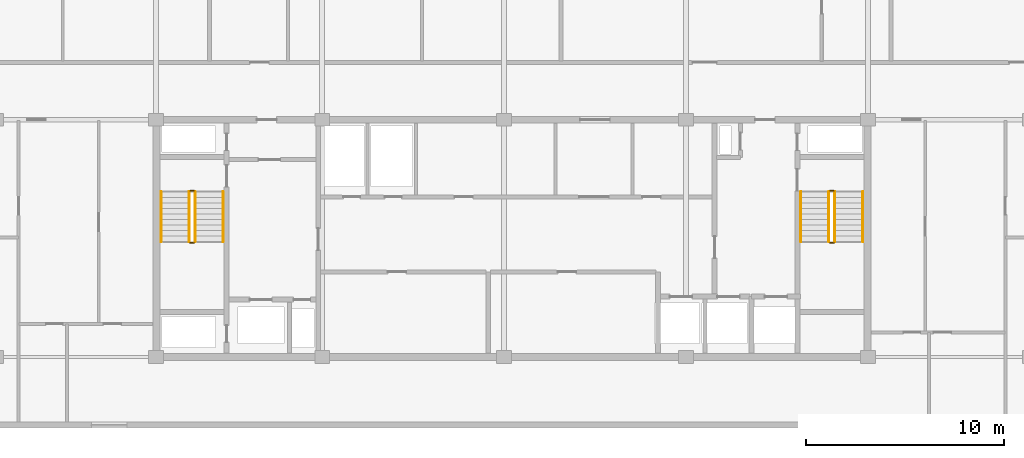
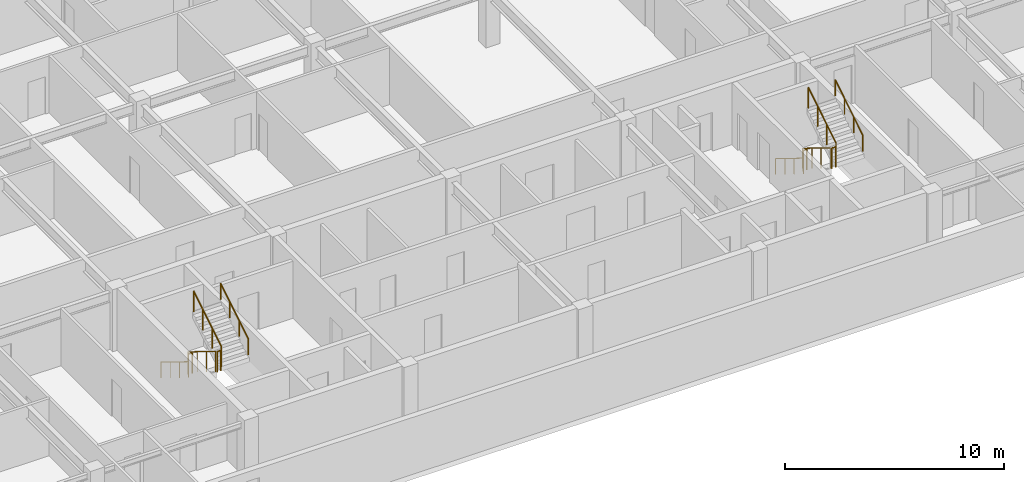
# One storey, part 10 of 11: 12 railings.
"""IFC4 building model written with IfcOpenShell, lengths in metres."""

from ifc_helpers import new_model, si_unit, direction, frame, origin, origin_2d, place, context, subcontext, project, spatial, circle, extrude, material, type_object, element, save


model = new_model("IFC4")

# Units and contexts
model_context = context("Model", 3, precision=1e-05, world=origin(), true_north=direction((0.0, 1.0)))
body_context = subcontext(model_context, "Body", "Model", "MODEL_VIEW")
ifc_project = project(units=[si_unit("LENGTHUNIT", "METRE"), si_unit("AREAUNIT", "SQUARE_METRE"), si_unit("VOLUMEUNIT", "CUBIC_METRE"), si_unit("PLANEANGLEUNIT", "RADIAN"), si_unit("MASSUNIT", "GRAM", prefix="KILO")], contexts=[model_context])

# Site, building, storey
site_placement = place(None, origin())
site = spatial("IfcSite", under=ifc_project, at=site_placement, CompositionType="ELEMENT")
building_placement = place(site_placement, origin())
building = spatial("IfcBuilding", under=site, at=building_placement, Name="Korimba Cascade Residences", CompositionType="ELEMENT")
storey_placement = place(building_placement, frame((0.0, 0.0, 249.35009765625)))
storey = spatial("IfcBuildingStorey", under=building, at=storey_placement, Name="L72", CompositionType="ELEMENT", Elevation=249.35009765625)

# Railings
ifc_material_1 = material(Name="Painted Steel Stairwell Guardrail", Category="steel")
railing_type_1 = type_object("IfcRailingType", Name="RLG-ST-GD1150", PredefinedType="GUARDRAIL", material=ifc_material_1)
railing_1_placement = place(storey_placement, frame((77.77001953125, 63.550048828125, 0.17236328125)))
element("IfcRailing", 1, at=railing_1_placement, inside=storey, type_object=railing_type_1, Name="L72 ST-W1 stair guard 1", PredefinedType="GUARDRAIL", context=body_context, shape_type="SweptSolid", body=[
    extrude(circle(Radius=0.02392578125, at=origin_2d()), frame((0.0, 0.0, 1.1259765625), z_axis=(0.0, -0.851400495292, 0.524516154772), x_axis=(1.0, 0.0, 0.0)), (0.0, 0.0, 1.0), 2.9599609375),
    extrude(circle(Radius=0.02099609375, at=origin_2d()), origin(), (0.0, 0.0, 1.0), 1.101806640625),
    extrude(circle(Radius=0.02099609375, at=origin_2d()), frame((0.0, -0.840087890625, 0.517578125)), (0.0, 0.0, 1.0), 1.101806640625),
    extrude(circle(Radius=0.02099609375, at=origin_2d()), frame((0.0, -1.679931640625, 1.034912109375)), (0.0, 0.0, 1.0), 1.101806640625),
    extrude(circle(Radius=0.02099609375, at=origin_2d()), frame((0.0, -2.52001953125, 1.552490234375)), (0.0, 0.0, 1.0), 1.101806640625),
])
railing_2_placement = place(storey_placement, frame((77.820068359375, 60.97998046875, 1.724853515625)))
element("IfcRailing", 2, at=railing_2_placement, inside=storey, type_object=railing_type_1, Name="L72 ST-W1 stair guard 2", PredefinedType="GUARDRAIL", context=body_context, shape_type="SweptSolid", body=[
    extrude(circle(Radius=0.02392578125, at=origin_2d()), frame((0.0, 0.0, 1.1259765625), z_axis=(1.0, 0.0, 0.0), x_axis=(0.0, 1.0, 0.0)), (0.0, 0.0, 1.0), 0.199951171875),
    extrude(circle(Radius=0.02099609375, at=origin_2d()), origin(), (0.0, 0.0, 1.0), 1.101806640625),
    extrude(circle(Radius=0.02099609375, at=origin_2d()), frame((0.199951171875, 0.0, 0.0)), (0.0, 0.0, 1.0), 1.101806640625),
])
railing_3_placement = place(storey_placement, frame((78.070068359375, 61.030029296875, 1.8974609375)))
element("IfcRailing", 3, at=railing_3_placement, inside=storey, type_object=railing_type_1, Name="L72 ST-W1 stair guard 3", PredefinedType="GUARDRAIL", context=body_context, shape_type="SweptSolid", body=[
    extrude(circle(Radius=0.02392578125, at=origin_2d()), frame((0.0, 0.0, 1.1259765625), z_axis=(0.0, 0.851400495292, 0.524516154772), x_axis=(-1.0, 0.0, 0.0)), (0.0, 0.0, 1.0), 2.9599609375),
    extrude(circle(Radius=0.02099609375, at=origin_2d()), origin(), (0.0, 0.0, 1.0), 1.101806640625),
    extrude(circle(Radius=0.02099609375, at=origin_2d()), frame((0.0, 0.840087890625, 0.517578125)), (0.0, 0.0, 1.0), 1.101806640625),
    extrude(circle(Radius=0.02099609375, at=origin_2d()), frame((0.0, 1.679931640625, 1.034912109375)), (0.0, 0.0, 1.0), 1.101806640625),
    extrude(circle(Radius=0.02099609375, at=origin_2d()), frame((0.0, 2.52001953125, 1.552490234375)), (0.0, 0.0, 1.0), 1.101806640625),
])
railing_4_placement = place(storey_placement, frame((77.820068359375, 63.60009765625, 0.0)))
element("IfcRailing", 4, at=railing_4_placement, inside=storey, type_object=railing_type_1, Name="L72 ST-W1 stair guard 4", PredefinedType="GUARDRAIL", context=body_context, shape_type="SweptSolid", body=[
    extrude(circle(Radius=0.02392578125, at=origin_2d()), frame((0.0, 0.0, 1.1259765625), z_axis=(1.0, 0.0, 0.0), x_axis=(0.0, 1.0, 0.0)), (0.0, 0.0, 1.0), 0.199951171875),
    extrude(circle(Radius=0.02099609375, at=origin_2d()), origin(), (0.0, 0.0, 1.0), 1.101806640625),
    extrude(circle(Radius=0.02099609375, at=origin_2d()), frame((0.199951171875, 0.0, 0.0)), (0.0, 0.0, 1.0), 1.101806640625),
])
railing_5_placement = place(storey_placement, frame((110.1298828125, 63.550048828125, 0.17236328125)))
element("IfcRailing", 5, at=railing_5_placement, inside=storey, type_object=railing_type_1, Name="L72 ST-W2 stair guard 1", PredefinedType="GUARDRAIL", context=body_context, shape_type="SweptSolid", body=[
    extrude(circle(Radius=0.02392578125, at=origin_2d()), frame((0.0, 0.0, 1.1259765625), z_axis=(0.0, -0.851400495292, 0.524516154772), x_axis=(1.0, 0.0, 0.0)), (0.0, 0.0, 1.0), 2.9599609375),
    extrude(circle(Radius=0.02099609375, at=origin_2d()), origin(), (0.0, 0.0, 1.0), 1.101806640625),
    extrude(circle(Radius=0.02099609375, at=origin_2d()), frame((0.0, -0.840087890625, 0.517578125)), (0.0, 0.0, 1.0), 1.101806640625),
    extrude(circle(Radius=0.02099609375, at=origin_2d()), frame((0.0, -1.679931640625, 1.034912109375)), (0.0, 0.0, 1.0), 1.101806640625),
    extrude(circle(Radius=0.02099609375, at=origin_2d()), frame((0.0, -2.52001953125, 1.552490234375)), (0.0, 0.0, 1.0), 1.101806640625),
])
railing_6_placement = place(storey_placement, frame((110.179931640625, 60.97998046875, 1.724853515625)))
element("IfcRailing", 6, at=railing_6_placement, inside=storey, type_object=railing_type_1, Name="L72 ST-W2 stair guard 2", PredefinedType="GUARDRAIL", context=body_context, shape_type="SweptSolid", body=[
    extrude(circle(Radius=0.02392578125, at=origin_2d()), frame((0.0, 0.0, 1.1259765625), z_axis=(1.0, 0.0, 0.0), x_axis=(0.0, 1.0, 0.0)), (0.0, 0.0, 1.0), 0.199951171875),
    extrude(circle(Radius=0.02099609375, at=origin_2d()), origin(), (0.0, 0.0, 1.0), 1.101806640625),
    extrude(circle(Radius=0.02099609375, at=origin_2d()), frame((0.199951171875, 0.0, 0.0)), (0.0, 0.0, 1.0), 1.101806640625),
])
railing_7_placement = place(storey_placement, frame((110.429931640625, 61.030029296875, 1.8974609375)))
element("IfcRailing", 7, at=railing_7_placement, inside=storey, type_object=railing_type_1, Name="L72 ST-W2 stair guard 3", PredefinedType="GUARDRAIL", context=body_context, shape_type="SweptSolid", body=[
    extrude(circle(Radius=0.02392578125, at=origin_2d()), frame((0.0, 0.0, 1.1259765625), z_axis=(0.0, 0.851400495292, 0.524516154772), x_axis=(-1.0, 0.0, 0.0)), (0.0, 0.0, 1.0), 2.9599609375),
    extrude(circle(Radius=0.02099609375, at=origin_2d()), origin(), (0.0, 0.0, 1.0), 1.101806640625),
    extrude(circle(Radius=0.02099609375, at=origin_2d()), frame((0.0, 0.840087890625, 0.517578125)), (0.0, 0.0, 1.0), 1.101806640625),
    extrude(circle(Radius=0.02099609375, at=origin_2d()), frame((0.0, 1.679931640625, 1.034912109375)), (0.0, 0.0, 1.0), 1.101806640625),
    extrude(circle(Radius=0.02099609375, at=origin_2d()), frame((0.0, 2.52001953125, 1.552490234375)), (0.0, 0.0, 1.0), 1.101806640625),
])
railing_8_placement = place(storey_placement, frame((110.179931640625, 63.60009765625, 0.0)))
element("IfcRailing", 8, at=railing_8_placement, inside=storey, type_object=railing_type_1, Name="L72 ST-W2 stair guard 4", PredefinedType="GUARDRAIL", context=body_context, shape_type="SweptSolid", body=[
    extrude(circle(Radius=0.02392578125, at=origin_2d()), frame((0.0, 0.0, 1.1259765625), z_axis=(1.0, 0.0, 0.0), x_axis=(0.0, 1.0, 0.0)), (0.0, 0.0, 1.0), 0.199951171875),
    extrude(circle(Radius=0.02099609375, at=origin_2d()), origin(), (0.0, 0.0, 1.0), 1.101806640625),
    extrude(circle(Radius=0.02099609375, at=origin_2d()), frame((0.199951171875, 0.0, 0.0)), (0.0, 0.0, 1.0), 1.101806640625),
])
ifc_material_2 = material(Name="Brushed Stainless Steel Handrail", Category="steel")
railing_type_2 = type_object("IfcRailingType", Name="RLG-ST-HR900", PredefinedType="HANDRAIL", material=ifc_material_2)
railing_9_placement = place(storey_placement, frame((76.35009765625, 63.550048828125, 0.348388671875)))
element("IfcRailing", 9, at=railing_9_placement, inside=storey, type_object=railing_type_2, Name="L72 ST-W1 stair handrail 1", PredefinedType="HANDRAIL", context=body_context, shape_type="SweptSolid", body=[
    extrude(circle(Radius=0.02392578125, at=origin_2d()), frame((0.0, 0.0, 0.8759765625), z_axis=(0.0, -0.851400495292, 0.524516154772), x_axis=(1.0, 0.0, 0.0)), (0.0, 0.0, 1.0), 2.9599609375),
    extrude(circle(Radius=0.02099609375, at=origin_2d()), origin(), (0.0, 0.0, 1.0), 0.851806640625),
    extrude(circle(Radius=0.02099609375, at=origin_2d()), frame((0.0, -0.840087890625, 0.517578125)), (0.0, 0.0, 1.0), 0.851806640625),
    extrude(circle(Radius=0.02099609375, at=origin_2d()), frame((0.0, -1.679931640625, 1.034912109375)), (0.0, 0.0, 1.0), 0.851806640625),
    extrude(circle(Radius=0.02099609375, at=origin_2d()), frame((0.0, -2.52001953125, 1.552490234375)), (0.0, 0.0, 1.0), 0.851806640625),
])
railing_10_placement = place(storey_placement, frame((79.489990234375, 61.030029296875, 2.073486328125)))
element("IfcRailing", 10, at=railing_10_placement, inside=storey, type_object=railing_type_2, Name="L72 ST-W1 stair handrail 2", PredefinedType="HANDRAIL", context=body_context, shape_type="SweptSolid", body=[
    extrude(circle(Radius=0.02392578125, at=origin_2d()), frame((0.0, 0.0, 0.8759765625), z_axis=(0.0, 0.851400495292, 0.524516154772), x_axis=(-1.0, 0.0, 0.0)), (0.0, 0.0, 1.0), 2.9599609375),
    extrude(circle(Radius=0.02099609375, at=origin_2d()), origin(), (0.0, 0.0, 1.0), 0.851806640625),
    extrude(circle(Radius=0.02099609375, at=origin_2d()), frame((0.0, 0.840087890625, 0.517578125)), (0.0, 0.0, 1.0), 0.851806640625),
    extrude(circle(Radius=0.02099609375, at=origin_2d()), frame((0.0, 1.679931640625, 1.034912109375)), (0.0, 0.0, 1.0), 0.851806640625),
    extrude(circle(Radius=0.02099609375, at=origin_2d()), frame((0.0, 2.52001953125, 1.552490234375)), (0.0, 0.0, 1.0), 0.851806640625),
])
railing_11_placement = place(storey_placement, frame((108.7099609375, 63.550048828125, 0.348388671875)))
element("IfcRailing", 11, at=railing_11_placement, inside=storey, type_object=railing_type_2, Name="L72 ST-W2 stair handrail 1", PredefinedType="HANDRAIL", context=body_context, shape_type="SweptSolid", body=[
    extrude(circle(Radius=0.02392578125, at=origin_2d()), frame((0.0, 0.0, 0.8759765625), z_axis=(0.0, -0.851400495292, 0.524516154772), x_axis=(1.0, 0.0, 0.0)), (0.0, 0.0, 1.0), 2.9599609375),
    extrude(circle(Radius=0.02099609375, at=origin_2d()), origin(), (0.0, 0.0, 1.0), 0.851806640625),
    extrude(circle(Radius=0.02099609375, at=origin_2d()), frame((0.0, -0.840087890625, 0.517578125)), (0.0, 0.0, 1.0), 0.851806640625),
    extrude(circle(Radius=0.02099609375, at=origin_2d()), frame((0.0, -1.679931640625, 1.034912109375)), (0.0, 0.0, 1.0), 0.851806640625),
    extrude(circle(Radius=0.02099609375, at=origin_2d()), frame((0.0, -2.52001953125, 1.552490234375)), (0.0, 0.0, 1.0), 0.851806640625),
])
railing_12_placement = place(storey_placement, frame((111.85009765625, 61.030029296875, 2.073486328125)))
element("IfcRailing", 12, at=railing_12_placement, inside=storey, type_object=railing_type_2, Name="L72 ST-W2 stair handrail 2", PredefinedType="HANDRAIL", context=body_context, shape_type="SweptSolid", body=[
    extrude(circle(Radius=0.02392578125, at=origin_2d()), frame((0.0, 0.0, 0.8759765625), z_axis=(0.0, 0.851400495292, 0.524516154772), x_axis=(-1.0, 0.0, 0.0)), (0.0, 0.0, 1.0), 2.9599609375),
    extrude(circle(Radius=0.02099609375, at=origin_2d()), origin(), (0.0, 0.0, 1.0), 0.851806640625),
    extrude(circle(Radius=0.02099609375, at=origin_2d()), frame((0.0, 0.840087890625, 0.517578125)), (0.0, 0.0, 1.0), 0.851806640625),
    extrude(circle(Radius=0.02099609375, at=origin_2d()), frame((0.0, 1.679931640625, 1.034912109375)), (0.0, 0.0, 1.0), 0.851806640625),
    extrude(circle(Radius=0.02099609375, at=origin_2d()), frame((0.0, 2.52001953125, 1.552490234375)), (0.0, 0.0, 1.0), 0.851806640625),
])

save(model, "model.ifc")
